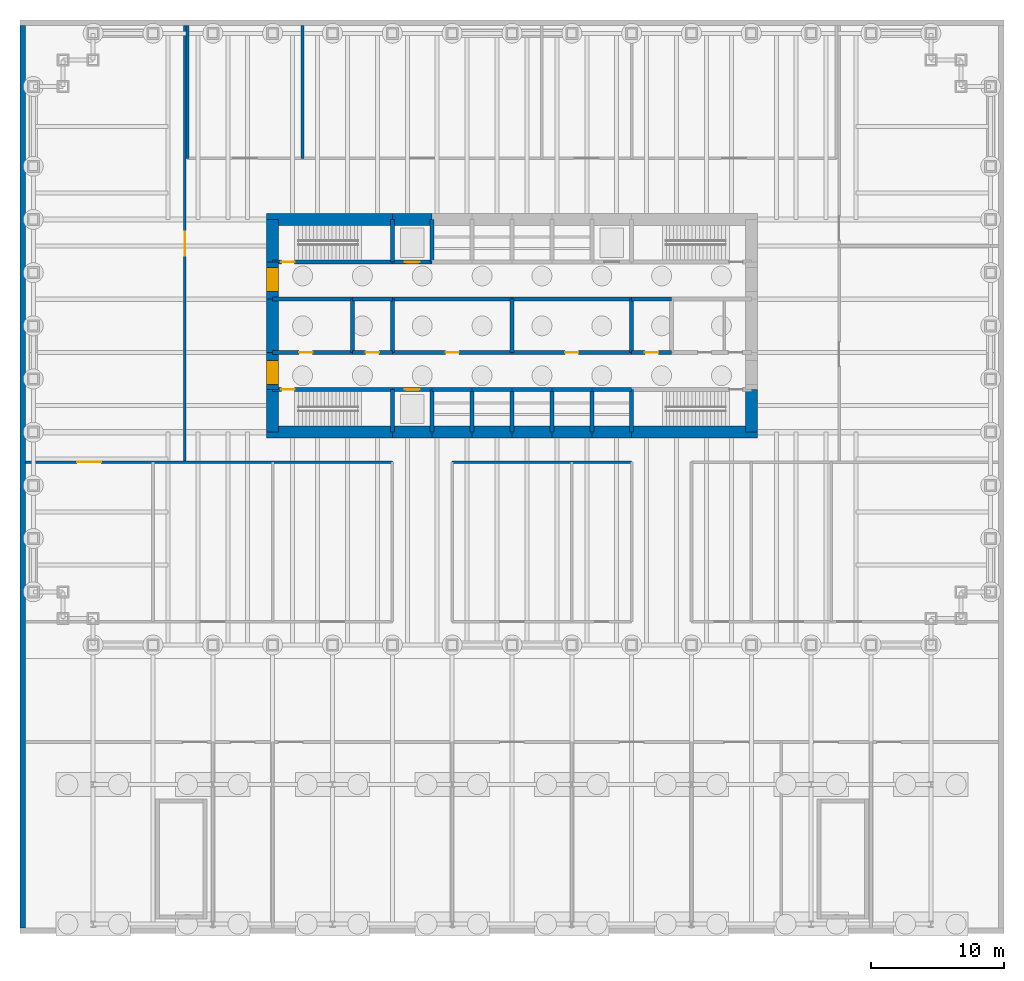
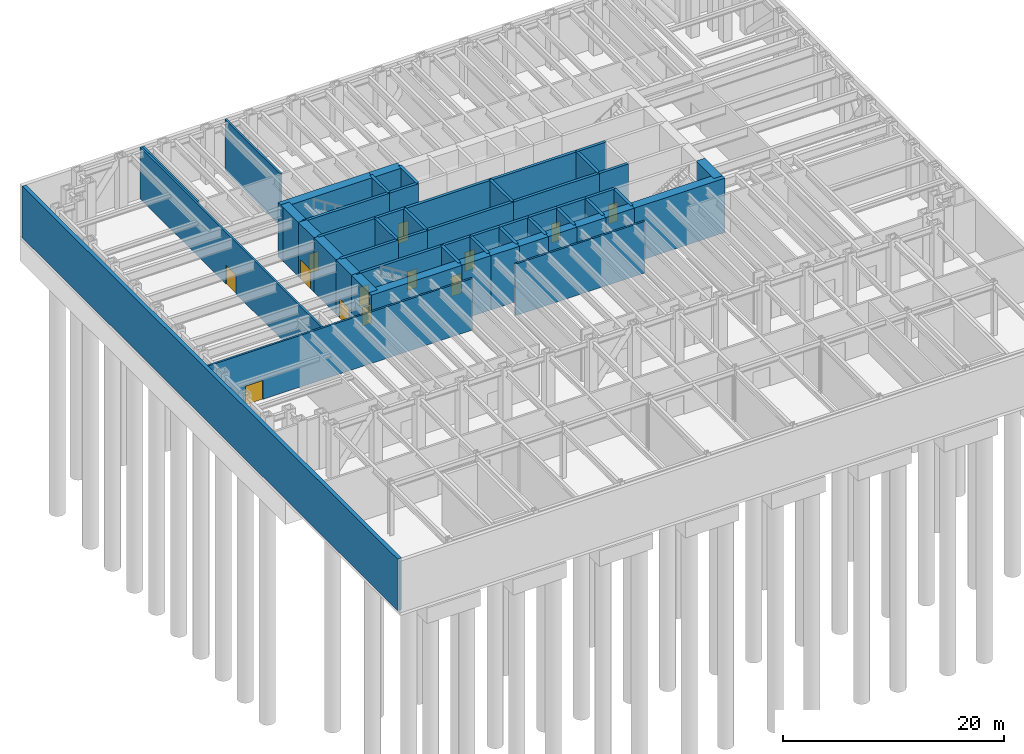
# One storey, part 5 of 9: 54 walls, 13 doors, 13 openings.
"""IFC4 building model written with IfcOpenShell, lengths in metres."""

from ifc_helpers import new_model, si_unit, direction, frame, frame_2d, origin, place, context, subcontext, project, spatial, rectangle, extrude, material, layer, layer_set, type_object, element, fill, save


model = new_model("IFC4")

# Units and contexts
model_context = context("Model", 3, precision=1e-05, world=origin(), true_north=direction((0.0, 1.0)))
body_context = subcontext(model_context, "Body", "Model", "MODEL_VIEW")
ifc_project = project(units=[si_unit("LENGTHUNIT", "METRE"), si_unit("AREAUNIT", "SQUARE_METRE"), si_unit("VOLUMEUNIT", "CUBIC_METRE"), si_unit("PLANEANGLEUNIT", "RADIAN"), si_unit("MASSUNIT", "GRAM", prefix="KILO")], contexts=[model_context])

# Site, building, storey
site_placement = place(None, origin())
site = spatial("IfcSite", under=ifc_project, at=site_placement, CompositionType="ELEMENT")
building_placement = place(site_placement, origin())
building = spatial("IfcBuilding", under=site, at=building_placement, Name="Rheinbord Bourse Tower", CompositionType="ELEMENT")
storey_placement = place(building_placement, frame((0.0, 0.0, -6.0)))
storey = spatial("IfcBuildingStorey", under=building, at=storey_placement, Name="B1", CompositionType="ELEMENT", Elevation=-6.0)

# Wall
ifc_material_1 = material(Name="Concrete C35/45", Category="concrete")
ifc_layer_1 = layer(ifc_material_1, 0.39990234375)
ifc_layer_set_1 = layer_set([ifc_layer_1], Name="BASEMENT RETAINING WALL 400")
wall_type_1 = type_object("IfcWallType", Name="BASEMENT RETAINING WALL 400", PredefinedType="SOLIDWALL", material=ifc_layer_set_1)
wall_1_placement = place(storey_placement, frame((-0.800048828125, 46.60009765625, 0.0), z_axis=(0.0, 0.0, 1.0), x_axis=(0.0, -1.0, 0.0)))
element("IfcWall", 1, at=wall_1_placement, inside=storey, type_object=wall_type_1, Name="Basement retaining wall W", PredefinedType="SOLIDWALL", context=body_context, shape_type="SweptSolid", body=[
    extrude(rectangle(XDim=67.900146484375, YDim=0.39990234375, at=frame_2d((33.9501953125, 0.0))), origin(), (0.0, 0.0, 1.0), 5.699951171875),
])

# Wall, opening, door
ifc_material_2 = material(Name="Concrete C50/60", Category="concrete")
ifc_layer_2 = layer(ifc_material_2, 0.300048828125)
ifc_layer_set_2 = layer_set([ifc_layer_2], Name="CORE INNER WALL 300")
wall_type_2 = type_object("IfcWallType", Name="CORE INNER WALL 300", PredefinedType="SOLIDWALL", material=ifc_layer_set_2)
wall_2_placement = place(storey_placement, frame((18.0, 19.199951171875, 0.0), z_axis=(0.0, 0.0, 1.0), x_axis=(1.0, 0.0, 0.0)))
wall_2 = element("IfcWall", 2, at=wall_2_placement, inside=storey, type_object=wall_type_2, Name="Core wall A1 B1", PredefinedType="SOLIDWALL", context=body_context, shape_type="SweptSolid", body=[
    extrude(rectangle(XDim=9.0, YDim=0.300048828125, at=frame_2d((4.5, 0.0))), origin(), (0.0, 0.0, 1.0), 6.0),
])
opening_1_placement = place(wall_2_placement, frame((0.64990234375, 0.0, 0.0)))
opening_1 = element("IfcOpeningElement", 3, at=opening_1_placement, cuts=wall_2, Name="Opening B110", PredefinedType="OPENING", context=body_context, shape_type="SweptSolid", body=[
    extrude(rectangle(XDim=1.0, YDim=2.10009765625, at=frame_2d((0.5, 1.050048828125))), frame((0.0, 0.159912109375, 0.0), z_axis=(0.0, -1.0, 0.0), x_axis=(1.0, 0.0, 0.0)), (0.0, 0.0, 1.0), 0.320068359375),
])
ifc_material_3 = material(Name="Steel door", Category="steel")
door_type_1 = type_object("IfcDoorType", Name="DOOR 1000 EI30", OperationType="SINGLE_SWING_LEFT", PredefinedType="DOOR", material=ifc_material_3)
door_1_placement = place(opening_1_placement, origin())
door_1 = element("IfcDoor", 4, at=door_1_placement, inside=storey, type_object=door_type_1, Name="Stair door ST1 B1", OperationType="SINGLE_SWING_LEFT", OverallHeight=2.10009765625, OverallWidth=1.0, PredefinedType="DOOR", context=body_context, shape_type="SweptSolid", body=[
    extrude(rectangle(XDim=1.0, YDim=2.10009765625, at=frame_2d((0.5, 1.050048828125))), frame((0.0, 0.02490234375, 0.0), z_axis=(0.0, -1.0, 0.0), x_axis=(1.0, 0.0, 0.0)), (0.0, 0.0, 1.0), 0.050048828125),
])
fill(opening_1, door_1)

wall_3_placement = place(storey_placement, frame((27.0, 19.199951171875, 0.0), z_axis=(0.0, 0.0, 1.0), x_axis=(1.0, 0.0, 0.0)))
wall_3 = element("IfcWall", 5, at=wall_3_placement, inside=storey, type_object=wall_type_2, Name="Core wall A2 B1", PredefinedType="SOLIDWALL", context=body_context, shape_type="SweptSolid", body=[
    extrude(rectangle(XDim=3.0, YDim=0.300048828125, at=frame_2d((1.5, 0.0))), origin(), (0.0, 0.0, 1.0), 6.0),
])
opening_2_placement = place(wall_3_placement, frame((0.949951171875, 0.0, 0.0)))
opening_2 = element("IfcOpeningElement", 6, at=opening_2_placement, cuts=wall_3, Name="Opening FL1", PredefinedType="OPENING", context=body_context, shape_type="SweptSolid", body=[
    extrude(rectangle(XDim=1.10009765625, YDim=2.199951171875, at=frame_2d((0.550048828125, 1.10009765625))), frame((0.0, 0.159912109375, 0.0), z_axis=(0.0, -1.0, 0.0), x_axis=(1.0, 0.0, 0.0)), (0.0, 0.0, 1.0), 0.320068359375),
])
ifc_material_4 = material(Name="Steel landing door", Category="steel")
door_type_2 = type_object("IfcDoorType", Name="LIFT LANDING DOOR 1100", OperationType="DOUBLE_DOOR_SLIDING", PredefinedType="USERDEFINED", material=ifc_material_4)
door_2_placement = place(opening_2_placement, origin())
door_2 = element("IfcDoor", 7, at=door_2_placement, inside=storey, type_object=door_type_2, Name="Lift landing door FL1 B1", ObjectType="LIFT LANDING DOOR", OperationType="DOUBLE_DOOR_SLIDING", OverallHeight=2.199951171875, OverallWidth=1.10009765625, PredefinedType="USERDEFINED", context=body_context, shape_type="SweptSolid", body=[
    extrude(rectangle(XDim=1.10009765625, YDim=2.199951171875, at=frame_2d((0.550048828125, 1.10009765625))), frame((0.0, 0.02490234375, 0.0), z_axis=(0.0, -1.0, 0.0), x_axis=(1.0, 0.0, 0.0)), (0.0, 0.0, 1.0), 0.050048828125),
])
fill(opening_2, door_2)

# Walls
for number, where, z_axis, x_axis, name in (
    (8, (30.0, 19.199951171875, 0.0), (0.0, 0.0, 1.0), (1.0, 0.0, 0.0), "Core wall A3 B1"),
    (9, (33.0, 19.199951171875, 0.0), (0.0, 0.0, 1.0), (1.0, 0.0, 0.0), "Core wall A4 B1"),
    (10, (36.0, 19.199951171875, 0.0), (0.0, 0.0, 1.0), (1.0, 0.0, 0.0), "Core wall A5 B1"),
    (11, (39.0, 19.199951171875, 0.0), (0.0, 0.0, 1.0), (1.0, 0.0, 0.0), "Core wall A6 B1"),
    (12, (42.0, 19.199951171875, 0.0), (0.0, 0.0, 1.0), (1.0, 0.0, 0.0), "Core wall A7 B1"),
):
    element("IfcWall", number, at=place(storey_placement, frame(where, z_axis=z_axis, x_axis=x_axis)), inside=storey, type_object=wall_type_2, Name=name, PredefinedType="SOLIDWALL", context=body_context, shape_type="SweptSolid", body=[
        extrude(rectangle(XDim=3.0, YDim=0.300048828125, at=frame_2d((1.5, 0.0))), origin(), (0.0, 0.0, 1.0), 6.0),
    ])

# Wall, opening, door
wall_4_placement = place(storey_placement, frame((18.0, 28.800048828125, 0.0), z_axis=(0.0, 0.0, 1.0), x_axis=(1.0, 0.0, 0.0)))
wall_4 = element("IfcWall", 13, at=wall_4_placement, inside=storey, type_object=wall_type_2, Name="Core wall B1 B1", PredefinedType="SOLIDWALL", context=body_context, shape_type="SweptSolid", body=[
    extrude(rectangle(XDim=9.0, YDim=0.300048828125, at=frame_2d((4.5, 0.0))), origin(), (0.0, 0.0, 1.0), 6.0),
])
opening_3_placement = place(wall_4_placement, frame((0.64990234375, 0.0, 0.0)))
opening_3 = element("IfcOpeningElement", 14, at=opening_3_placement, cuts=wall_4, Name="Opening B120", PredefinedType="OPENING", context=body_context, shape_type="SweptSolid", body=[
    extrude(rectangle(XDim=1.0, YDim=2.10009765625, at=frame_2d((0.5, 1.050048828125))), frame((0.0, 0.159912109375, 0.0), z_axis=(0.0, -1.0, 0.0), x_axis=(1.0, 0.0, 0.0)), (0.0, 0.0, 1.0), 0.320068359375),
])
door_3_placement = place(opening_3_placement, origin())
door_3 = element("IfcDoor", 15, at=door_3_placement, inside=storey, type_object=door_type_1, Name="Stair door ST2 B1", OperationType="SINGLE_SWING_LEFT", OverallHeight=2.10009765625, OverallWidth=1.0, PredefinedType="DOOR", context=body_context, shape_type="SweptSolid", body=[
    extrude(rectangle(XDim=1.0, YDim=2.10009765625, at=frame_2d((0.5, 1.050048828125))), frame((0.0, 0.02490234375, 0.0), z_axis=(0.0, -1.0, 0.0), x_axis=(1.0, 0.0, 0.0)), (0.0, 0.0, 1.0), 0.050048828125),
])
fill(opening_3, door_3)

wall_5_placement = place(storey_placement, frame((27.0, 28.800048828125, 0.0), z_axis=(0.0, 0.0, 1.0), x_axis=(1.0, 0.0, 0.0)))
wall_5 = element("IfcWall", 16, at=wall_5_placement, inside=storey, type_object=wall_type_2, Name="Core wall B2 B1", PredefinedType="SOLIDWALL", context=body_context, shape_type="SweptSolid", body=[
    extrude(rectangle(XDim=3.0, YDim=0.300048828125, at=frame_2d((1.5, 0.0))), origin(), (0.0, 0.0, 1.0), 6.0),
])
opening_4_placement = place(wall_5_placement, frame((0.949951171875, 0.0, 0.0)))
opening_4 = element("IfcOpeningElement", 17, at=opening_4_placement, cuts=wall_5, Name="Opening GL1", PredefinedType="OPENING", context=body_context, shape_type="SweptSolid", body=[
    extrude(rectangle(XDim=1.10009765625, YDim=2.199951171875, at=frame_2d((0.550048828125, 1.10009765625))), frame((0.0, 0.159912109375, 0.0), z_axis=(0.0, -1.0, 0.0), x_axis=(1.0, 0.0, 0.0)), (0.0, 0.0, 1.0), 0.320068359375),
])
door_4_placement = place(opening_4_placement, origin())
door_4 = element("IfcDoor", 18, at=door_4_placement, inside=storey, type_object=door_type_2, Name="Lift landing door GL1 B1", ObjectType="LIFT LANDING DOOR", OperationType="DOUBLE_DOOR_SLIDING", OverallHeight=2.199951171875, OverallWidth=1.10009765625, PredefinedType="USERDEFINED", context=body_context, shape_type="SweptSolid", body=[
    extrude(rectangle(XDim=1.10009765625, YDim=2.199951171875, at=frame_2d((0.550048828125, 1.10009765625))), frame((0.0, 0.02490234375, 0.0), z_axis=(0.0, -1.0, 0.0), x_axis=(1.0, 0.0, 0.0)), (0.0, 0.0, 1.0), 0.050048828125),
])
fill(opening_4, door_4)

wall_6_placement = place(storey_placement, frame((18.0, 22.0, 0.0), z_axis=(0.0, 0.0, 1.0), x_axis=(1.0, 0.0, 0.0)))
wall_6 = element("IfcWall", 19, at=wall_6_placement, inside=storey, type_object=wall_type_2, Name="Core wall C1 B1", PredefinedType="SOLIDWALL", context=body_context, shape_type="SweptSolid", body=[
    extrude(rectangle(XDim=6.0, YDim=0.300048828125, at=frame_2d((3.0, 0.0))), origin(), (0.0, 0.0, 1.0), 6.0),
])
opening_5_placement = place(wall_6_placement, frame((2.0, 0.0, 0.0)))
opening_5 = element("IfcOpeningElement", 20, at=opening_5_placement, cuts=wall_6, Name="Opening B1R1", PredefinedType="OPENING", context=body_context, shape_type="SweptSolid", body=[
    extrude(rectangle(XDim=1.0, YDim=2.10009765625, at=frame_2d((0.5, 1.050048828125))), frame((0.0, 0.159912109375, 0.0), z_axis=(0.0, -1.0, 0.0), x_axis=(1.0, 0.0, 0.0)), (0.0, 0.0, 1.0), 0.320068359375),
])
ifc_material_5 = material(Name="Timber door", Category="wood")
door_type_3 = type_object("IfcDoorType", Name="DOOR 1000 WC", OperationType="SINGLE_SWING_LEFT", PredefinedType="DOOR", material=ifc_material_5)
door_5_placement = place(opening_5_placement, origin())
door_5 = element("IfcDoor", 21, at=door_5_placement, inside=storey, type_object=door_type_3, Name="WC men door B1", OperationType="SINGLE_SWING_LEFT", OverallHeight=2.10009765625, OverallWidth=1.0, PredefinedType="DOOR", context=body_context, shape_type="SweptSolid", body=[
    extrude(rectangle(XDim=1.0, YDim=2.10009765625, at=frame_2d((0.5, 1.050048828125))), frame((0.0, 0.02490234375, 0.0), z_axis=(0.0, -1.0, 0.0), x_axis=(1.0, 0.0, 0.0)), (0.0, 0.0, 1.0), 0.050048828125),
])
fill(opening_5, door_5)

wall_7_placement = place(storey_placement, frame((24.0, 22.0, 0.0), z_axis=(0.0, 0.0, 1.0), x_axis=(1.0, 0.0, 0.0)))
wall_7 = element("IfcWall", 22, at=wall_7_placement, inside=storey, type_object=wall_type_2, Name="Core wall C2 B1", PredefinedType="SOLIDWALL", context=body_context, shape_type="SweptSolid", body=[
    extrude(rectangle(XDim=3.0, YDim=0.300048828125, at=frame_2d((1.5, 0.0))), origin(), (0.0, 0.0, 1.0), 6.0),
])
opening_6_placement = place(wall_7_placement, frame((1.0, 0.0, 0.0)))
opening_6 = element("IfcOpeningElement", 23, at=opening_6_placement, cuts=wall_7, Name="Opening B1R2", PredefinedType="OPENING", context=body_context, shape_type="SweptSolid", body=[
    extrude(rectangle(XDim=1.0, YDim=2.10009765625, at=frame_2d((0.5, 1.050048828125))), frame((0.0, 0.159912109375, 0.0), z_axis=(0.0, -1.0, 0.0), x_axis=(1.0, 0.0, 0.0)), (0.0, 0.0, 1.0), 0.320068359375),
])
door_6_placement = place(opening_6_placement, origin())
door_6 = element("IfcDoor", 24, at=door_6_placement, inside=storey, type_object=door_type_3, Name="Accessible WC door B1", OperationType="SINGLE_SWING_LEFT", OverallHeight=2.10009765625, OverallWidth=1.0, PredefinedType="DOOR", context=body_context, shape_type="SweptSolid", body=[
    extrude(rectangle(XDim=1.0, YDim=2.10009765625, at=frame_2d((0.5, 1.050048828125))), frame((0.0, 0.02490234375, 0.0), z_axis=(0.0, -1.0, 0.0), x_axis=(1.0, 0.0, 0.0)), (0.0, 0.0, 1.0), 0.050048828125),
])
fill(opening_6, door_6)

wall_8_placement = place(storey_placement, frame((27.0, 22.0, 0.0), z_axis=(0.0, 0.0, 1.0), x_axis=(1.0, 0.0, 0.0)))
wall_8 = element("IfcWall", 25, at=wall_8_placement, inside=storey, type_object=wall_type_2, Name="Core wall C3 B1", PredefinedType="SOLIDWALL", context=body_context, shape_type="SweptSolid", body=[
    extrude(rectangle(XDim=9.0, YDim=0.300048828125, at=frame_2d((4.5, 0.0))), origin(), (0.0, 0.0, 1.0), 6.0),
])
opening_7_placement = place(wall_8_placement, frame((4.0, 0.0, 0.0)))
opening_7 = element("IfcOpeningElement", 26, at=opening_7_placement, cuts=wall_8, Name="Opening B1R3", PredefinedType="OPENING", context=body_context, shape_type="SweptSolid", body=[
    extrude(rectangle(XDim=1.0, YDim=2.10009765625, at=frame_2d((0.5, 1.050048828125))), frame((0.0, 0.159912109375, 0.0), z_axis=(0.0, -1.0, 0.0), x_axis=(1.0, 0.0, 0.0)), (0.0, 0.0, 1.0), 0.320068359375),
])
door_7_placement = place(opening_7_placement, origin())
door_7 = element("IfcDoor", 27, at=door_7_placement, inside=storey, type_object=door_type_1, Name="Riser door B1", OperationType="SINGLE_SWING_LEFT", OverallHeight=2.10009765625, OverallWidth=1.0, PredefinedType="DOOR", context=body_context, shape_type="SweptSolid", body=[
    extrude(rectangle(XDim=1.0, YDim=2.10009765625, at=frame_2d((0.5, 1.050048828125))), frame((0.0, 0.02490234375, 0.0), z_axis=(0.0, -1.0, 0.0), x_axis=(1.0, 0.0, 0.0)), (0.0, 0.0, 1.0), 0.050048828125),
])
fill(opening_7, door_7)

wall_9_placement = place(storey_placement, frame((36.0, 22.0, 0.0), z_axis=(0.0, 0.0, 1.0), x_axis=(1.0, 0.0, 0.0)))
wall_9 = element("IfcWall", 28, at=wall_9_placement, inside=storey, type_object=wall_type_2, Name="Core wall C4 B1", PredefinedType="SOLIDWALL", context=body_context, shape_type="SweptSolid", body=[
    extrude(rectangle(XDim=9.0, YDim=0.300048828125, at=frame_2d((4.5, 0.0))), origin(), (0.0, 0.0, 1.0), 6.0),
])
opening_8_placement = place(wall_9_placement, frame((4.0, 0.0, 0.0)))
opening_8 = element("IfcOpeningElement", 29, at=opening_8_placement, cuts=wall_9, Name="Opening B1R4", PredefinedType="OPENING", context=body_context, shape_type="SweptSolid", body=[
    extrude(rectangle(XDim=1.0, YDim=2.10009765625, at=frame_2d((0.5, 1.050048828125))), frame((0.0, 0.159912109375, 0.0), z_axis=(0.0, -1.0, 0.0), x_axis=(1.0, 0.0, 0.0)), (0.0, 0.0, 1.0), 0.320068359375),
])
door_8_placement = place(opening_8_placement, origin())
door_8 = element("IfcDoor", 30, at=door_8_placement, inside=storey, type_object=door_type_1, Name="Store door B1", OperationType="SINGLE_SWING_LEFT", OverallHeight=2.10009765625, OverallWidth=1.0, PredefinedType="DOOR", context=body_context, shape_type="SweptSolid", body=[
    extrude(rectangle(XDim=1.0, YDim=2.10009765625, at=frame_2d((0.5, 1.050048828125))), frame((0.0, 0.02490234375, 0.0), z_axis=(0.0, -1.0, 0.0), x_axis=(1.0, 0.0, 0.0)), (0.0, 0.0, 1.0), 0.050048828125),
])
fill(opening_8, door_8)

wall_10_placement = place(storey_placement, frame((45.0, 22.0, 0.0), z_axis=(0.0, 0.0, 1.0), x_axis=(1.0, 0.0, 0.0)))
wall_10 = element("IfcWall", 31, at=wall_10_placement, inside=storey, type_object=wall_type_2, Name="Core wall C5 B1", PredefinedType="SOLIDWALL", context=body_context, shape_type="SweptSolid", body=[
    extrude(rectangle(XDim=3.0, YDim=0.300048828125, at=frame_2d((1.5, 0.0))), origin(), (0.0, 0.0, 1.0), 6.0),
])
opening_9_placement = place(wall_10_placement, frame((1.0, 0.0, 0.0)))
opening_9 = element("IfcOpeningElement", 32, at=opening_9_placement, cuts=wall_10, Name="Opening B1R5", PredefinedType="OPENING", context=body_context, shape_type="SweptSolid", body=[
    extrude(rectangle(XDim=1.0, YDim=2.10009765625, at=frame_2d((0.5, 1.050048828125))), frame((0.0, 0.159912109375, 0.0), z_axis=(0.0, -1.0, 0.0), x_axis=(1.0, 0.0, 0.0)), (0.0, 0.0, 1.0), 0.320068359375),
])
door_9_placement = place(opening_9_placement, origin())
door_9 = element("IfcDoor", 33, at=door_9_placement, inside=storey, type_object=door_type_3, Name="Accessible WC door B1", OperationType="SINGLE_SWING_LEFT", OverallHeight=2.10009765625, OverallWidth=1.0, PredefinedType="DOOR", context=body_context, shape_type="SweptSolid", body=[
    extrude(rectangle(XDim=1.0, YDim=2.10009765625, at=frame_2d((0.5, 1.050048828125))), frame((0.0, 0.02490234375, 0.0), z_axis=(0.0, -1.0, 0.0), x_axis=(1.0, 0.0, 0.0)), (0.0, 0.0, 1.0), 0.050048828125),
])
fill(opening_9, door_9)

# Walls
wall_11_placement = place(storey_placement, frame((18.0, 26.0, 0.0), z_axis=(0.0, 0.0, 1.0), x_axis=(1.0, 0.0, 0.0)))
element("IfcWall", 34, at=wall_11_placement, inside=storey, type_object=wall_type_2, Name="Core wall D1 B1", PredefinedType="SOLIDWALL", context=body_context, shape_type="SweptSolid", body=[
    extrude(rectangle(XDim=6.0, YDim=0.300048828125, at=frame_2d((3.0, 0.0))), origin(), (0.0, 0.0, 1.0), 6.0),
])
wall_12_placement = place(storey_placement, frame((24.0, 26.0, 0.0), z_axis=(0.0, 0.0, 1.0), x_axis=(1.0, 0.0, 0.0)))
element("IfcWall", 35, at=wall_12_placement, inside=storey, type_object=wall_type_2, Name="Core wall D2 B1", PredefinedType="SOLIDWALL", context=body_context, shape_type="SweptSolid", body=[
    extrude(rectangle(XDim=3.0, YDim=0.300048828125, at=frame_2d((1.5, 0.0))), origin(), (0.0, 0.0, 1.0), 6.0),
])
for number, where, z_axis, x_axis, name in (
    (36, (27.0, 26.0, 0.0), (0.0, 0.0, 1.0), (1.0, 0.0, 0.0), "Core wall D3 B1"),
    (37, (36.0, 26.0, 0.0), (0.0, 0.0, 1.0), (1.0, 0.0, 0.0), "Core wall D4 B1"),
):
    element("IfcWall", number, at=place(storey_placement, frame(where, z_axis=z_axis, x_axis=x_axis)), inside=storey, type_object=wall_type_2, Name=name, PredefinedType="SOLIDWALL", context=body_context, shape_type="SweptSolid", body=[
        extrude(rectangle(XDim=9.0, YDim=0.300048828125, at=frame_2d((4.5, 0.0))), origin(), (0.0, 0.0, 1.0), 6.0),
    ])
wall_13_placement = place(storey_placement, frame((45.0, 26.0, 0.0), z_axis=(0.0, 0.0, 1.0), x_axis=(1.0, 0.0, 0.0)))
element("IfcWall", 38, at=wall_13_placement, inside=storey, type_object=wall_type_2, Name="Core wall D5 B1", PredefinedType="SOLIDWALL", context=body_context, shape_type="SweptSolid", body=[
    extrude(rectangle(XDim=3.0, YDim=0.300048828125, at=frame_2d((1.5, 0.0))), origin(), (0.0, 0.0, 1.0), 6.0),
])
for number, where, z_axis, x_axis, name in (
    (39, (27.0, 16.0, 0.0), (0.0, 0.0, 1.0), (0.0, 1.0, 0.0), "Core wall SX27 B1"),
    (40, (27.0, 28.800048828125, 0.0), (0.0, 0.0, 1.0), (0.0, 1.0, 0.0), "Core wall NX27 B1"),
    (41, (30.0, 16.0, 0.0), (0.0, 0.0, 1.0), (0.0, 1.0, 0.0), "Core wall SX30 B1"),
    (42, (30.0, 28.800048828125, 0.0), (0.0, 0.0, 1.0), (0.0, 1.0, 0.0), "Core wall NX30 B1"),
    (43, (33.0, 16.0, 0.0), (0.0, 0.0, 1.0), (0.0, 1.0, 0.0), "Core wall SX33 B1"),
    (44, (36.0, 16.0, 0.0), (0.0, 0.0, 1.0), (0.0, 1.0, 0.0), "Core wall SX36 B1"),
    (45, (39.0, 16.0, 0.0), (0.0, 0.0, 1.0), (0.0, 1.0, 0.0), "Core wall SX39 B1"),
    (46, (42.0, 16.0, 0.0), (0.0, 0.0, 1.0), (0.0, 1.0, 0.0), "Core wall SX42 B1"),
    (47, (45.0, 16.0, 0.0), (0.0, 0.0, 1.0), (0.0, 1.0, 0.0), "Core wall SX45 B1"),
):
    element("IfcWall", number, at=place(storey_placement, frame(where, z_axis=z_axis, x_axis=x_axis)), inside=storey, type_object=wall_type_2, Name=name, PredefinedType="SOLIDWALL", context=body_context, shape_type="SweptSolid", body=[
        extrude(rectangle(XDim=3.199951171875, YDim=0.300048828125, at=frame_2d((1.60009765625, 0.0))), origin(), (0.0, 0.0, 1.0), 6.0),
    ])
for number, where, z_axis, x_axis, name in (
    (48, (24.0, 22.0, 0.0), (0.0, 0.0, 1.0), (0.0, 1.0, 0.0), "Core wall MX24 B1"),
    (49, (27.0, 22.0, 0.0), (0.0, 0.0, 1.0), (0.0, 1.0, 0.0), "Core wall MX27 B1"),
    (50, (36.0, 22.0, 0.0), (0.0, 0.0, 1.0), (0.0, 1.0, 0.0), "Core wall MX36 B1"),
    (51, (45.0, 22.0, 0.0), (0.0, 0.0, 1.0), (0.0, 1.0, 0.0), "Core wall MX45 B1"),
):
    element("IfcWall", number, at=place(storey_placement, frame(where, z_axis=z_axis, x_axis=x_axis)), inside=storey, type_object=wall_type_2, Name=name, PredefinedType="SOLIDWALL", context=body_context, shape_type="SweptSolid", body=[
        extrude(rectangle(XDim=4.0, YDim=0.300048828125, at=frame_2d((2.0, 0.0))), origin(), (0.0, 0.0, 1.0), 6.0),
    ])
ifc_material_6 = material(Name="Concrete C50/60", Category="concrete")
ifc_layer_3 = layer(ifc_material_6, 0.89990234375)
ifc_layer_set_3 = layer_set([ifc_layer_3], Name="CORE WALL 900")
wall_type_3 = type_object("IfcWallType", Name="CORE WALL 900", PredefinedType="SHEAR", material=ifc_layer_set_3)
wall_14_placement = place(storey_placement, frame((17.550048828125, 16.0, 0.0), z_axis=(0.0, 0.0, 1.0), x_axis=(1.0, 0.0, 0.0)))
element("IfcWall", 52, at=wall_14_placement, inside=storey, type_object=wall_type_3, Name="Core wall S1 B1", PredefinedType="SHEAR", context=body_context, shape_type="SweptSolid", body=[
    extrude(rectangle(XDim=9.449951171875, YDim=0.89990234375, at=frame_2d((4.72509765625, 0.0))), origin(), (0.0, 0.0, 1.0), 6.0),
])
for number, where, z_axis, x_axis, name in (
    (53, (27.0, 16.0, 0.0), (0.0, 0.0, 1.0), (1.0, 0.0, 0.0), "Core wall S2 B1"),
    (54, (30.0, 16.0, 0.0), (0.0, 0.0, 1.0), (1.0, 0.0, 0.0), "Core wall S3 B1"),
    (55, (33.0, 16.0, 0.0), (0.0, 0.0, 1.0), (1.0, 0.0, 0.0), "Core wall S4 B1"),
    (56, (36.0, 16.0, 0.0), (0.0, 0.0, 1.0), (1.0, 0.0, 0.0), "Core wall S5 B1"),
    (57, (39.0, 16.0, 0.0), (0.0, 0.0, 1.0), (1.0, 0.0, 0.0), "Core wall S6 B1"),
    (58, (42.0, 16.0, 0.0), (0.0, 0.0, 1.0), (1.0, 0.0, 0.0), "Core wall S7 B1"),
):
    element("IfcWall", number, at=place(storey_placement, frame(where, z_axis=z_axis, x_axis=x_axis)), inside=storey, type_object=wall_type_3, Name=name, PredefinedType="SHEAR", context=body_context, shape_type="SweptSolid", body=[
        extrude(rectangle(XDim=3.0, YDim=0.89990234375, at=frame_2d((1.5, 0.0))), origin(), (0.0, 0.0, 1.0), 6.0),
    ])
wall_15_placement = place(storey_placement, frame((45.0, 16.0, 0.0), z_axis=(0.0, 0.0, 1.0), x_axis=(1.0, 0.0, 0.0)))
element("IfcWall", 59, at=wall_15_placement, inside=storey, type_object=wall_type_3, Name="Core wall S8 B1", PredefinedType="SHEAR", context=body_context, shape_type="SweptSolid", body=[
    extrude(rectangle(XDim=9.449951171875, YDim=0.89990234375, at=frame_2d((4.72509765625, 0.0))), origin(), (0.0, 0.0, 1.0), 6.0),
])
wall_16_placement = place(storey_placement, frame((30.0, 32.0, 0.0), z_axis=(0.0, 0.0, 1.0), x_axis=(-1.0, 0.0, 0.0)))
element("IfcWall", 60, at=wall_16_placement, inside=storey, type_object=wall_type_3, Name="Core wall N7 B1", PredefinedType="SHEAR", context=body_context, shape_type="SweptSolid", body=[
    extrude(rectangle(XDim=3.0, YDim=0.89990234375, at=frame_2d((1.5, 0.0))), origin(), (0.0, 0.0, 1.0), 6.0),
])
wall_17_placement = place(storey_placement, frame((27.0, 32.0, 0.0), z_axis=(0.0, 0.0, 1.0), x_axis=(-1.0, 0.0, 0.0)))
element("IfcWall", 61, at=wall_17_placement, inside=storey, type_object=wall_type_3, Name="Core wall N8 B1", PredefinedType="SHEAR", context=body_context, shape_type="SweptSolid", body=[
    extrude(rectangle(XDim=9.449951171875, YDim=0.89990234375, at=frame_2d((4.72509765625, 0.0))), origin(), (0.0, 0.0, 1.0), 6.0),
])
wall_18_placement = place(storey_placement, frame((18.0, 32.0, 0.0), z_axis=(0.0, 0.0, 1.0), x_axis=(0.0, -1.0, 0.0)))
element("IfcWall", 62, at=wall_18_placement, inside=storey, type_object=wall_type_3, Name="Core wall W1 B1", PredefinedType="SHEAR", context=body_context, shape_type="SweptSolid", body=[
    extrude(rectangle(XDim=3.199951171875, YDim=0.89990234375, at=frame_2d((1.60009765625, 0.0))), origin(), (0.0, 0.0, 1.0), 6.0),
])

# Wall, opening, door
wall_19_placement = place(storey_placement, frame((18.0, 28.800048828125, 0.0), z_axis=(0.0, 0.0, 1.0), x_axis=(0.0, -1.0, 0.0)))
wall_19 = element("IfcWall", 63, at=wall_19_placement, inside=storey, type_object=wall_type_3, Name="Core wall W2 B1", PredefinedType="SHEAR", context=body_context, shape_type="SweptSolid", body=[
    extrude(rectangle(XDim=2.800048828125, YDim=0.89990234375, at=frame_2d((1.39990234375, 0.0))), origin(), (0.0, 0.0, 1.0), 6.0),
])
opening_10_placement = place(wall_19_placement, frame((0.39990234375, 0.0, 0.0)))
opening_10 = element("IfcOpeningElement", 64, at=opening_10_placement, cuts=wall_19, Name="Opening B1L2", PredefinedType="OPENING", context=body_context, shape_type="SweptSolid", body=[
    extrude(rectangle(XDim=1.800048828125, YDim=2.10009765625, at=frame_2d((0.89990234375, 1.050048828125))), frame((0.0, 0.4599609375, 0.0), z_axis=(0.0, -1.0, 0.0), x_axis=(1.0, 0.0, 0.0)), (0.0, 0.0, 1.0), 0.919921875),
])
ifc_material_7 = material(Name="Steel door", Category="steel")
door_type_4 = type_object("IfcDoorType", Name="DOOR 1800 EI30 DOUBLE", OperationType="DOUBLE_DOOR_DOUBLE_SWING", PredefinedType="DOOR", material=ifc_material_7)
door_10_placement = place(opening_10_placement, origin())
door_10 = element("IfcDoor", 65, at=door_10_placement, inside=storey, type_object=door_type_4, Name="Lobby door 2 B1", OperationType="SINGLE_SWING_LEFT", OverallHeight=2.10009765625, OverallWidth=1.800048828125, PredefinedType="DOOR", context=body_context, shape_type="SweptSolid", body=[
    extrude(rectangle(XDim=1.800048828125, YDim=2.10009765625, at=frame_2d((0.89990234375, 1.050048828125))), frame((0.0, 0.44970703125, 0.0), z_axis=(0.0, -1.0, 0.0), x_axis=(1.0, 0.0, 0.0)), (0.0, 0.0, 1.0), 0.8994140625),
])
fill(opening_10, door_10)

# Wall
wall_20_placement = place(storey_placement, frame((18.0, 26.0, 0.0), z_axis=(0.0, 0.0, 1.0), x_axis=(0.0, -1.0, 0.0)))
element("IfcWall", 66, at=wall_20_placement, inside=storey, type_object=wall_type_3, Name="Core wall W3 B1", PredefinedType="SHEAR", context=body_context, shape_type="SweptSolid", body=[
    extrude(rectangle(XDim=4.0, YDim=0.89990234375, at=frame_2d((2.0, 0.0))), origin(), (0.0, 0.0, 1.0), 6.0),
])

# Wall, opening, door
wall_21_placement = place(storey_placement, frame((18.0, 22.0, 0.0), z_axis=(0.0, 0.0, 1.0), x_axis=(0.0, -1.0, 0.0)))
wall_21 = element("IfcWall", 67, at=wall_21_placement, inside=storey, type_object=wall_type_3, Name="Core wall W4 B1", PredefinedType="SHEAR", context=body_context, shape_type="SweptSolid", body=[
    extrude(rectangle(XDim=2.800048828125, YDim=0.89990234375, at=frame_2d((1.39990234375, 0.0))), origin(), (0.0, 0.0, 1.0), 6.0),
])
opening_11_placement = place(wall_21_placement, frame((0.60009765625, 0.0, 0.0)))
opening_11 = element("IfcOpeningElement", 68, at=opening_11_placement, cuts=wall_21, Name="Opening B1L1", PredefinedType="OPENING", context=body_context, shape_type="SweptSolid", body=[
    extrude(rectangle(XDim=1.800048828125, YDim=2.10009765625, at=frame_2d((0.89990234375, 1.050048828125))), frame((0.0, 0.4599609375, 0.0), z_axis=(0.0, -1.0, 0.0), x_axis=(1.0, 0.0, 0.0)), (0.0, 0.0, 1.0), 0.919921875),
])
door_11_placement = place(opening_11_placement, origin())
door_11 = element("IfcDoor", 69, at=door_11_placement, inside=storey, type_object=door_type_4, Name="Lobby door 1 B1", OperationType="SINGLE_SWING_LEFT", OverallHeight=2.10009765625, OverallWidth=1.800048828125, PredefinedType="DOOR", context=body_context, shape_type="SweptSolid", body=[
    extrude(rectangle(XDim=1.800048828125, YDim=2.10009765625, at=frame_2d((0.89990234375, 1.050048828125))), frame((0.0, 0.44970703125, 0.0), z_axis=(0.0, -1.0, 0.0), x_axis=(1.0, 0.0, 0.0)), (0.0, 0.0, 1.0), 0.8994140625),
])
fill(opening_11, door_11)

# Walls
for number, where, z_axis, x_axis, name in (
    (70, (18.0, 19.199951171875, 0.0), (0.0, 0.0, 1.0), (0.0, -1.0, 0.0), "Core wall W5 B1"),
    (71, (54.0, 16.0, 0.0), (0.0, 0.0, 1.0), (0.0, 1.0, 0.0), "Core wall E1 B1"),
):
    element("IfcWall", number, at=place(storey_placement, frame(where, z_axis=z_axis, x_axis=x_axis)), inside=storey, type_object=wall_type_3, Name=name, PredefinedType="SHEAR", context=body_context, shape_type="SweptSolid", body=[
        extrude(rectangle(XDim=3.199951171875, YDim=0.89990234375, at=frame_2d((1.60009765625, 0.0))), origin(), (0.0, 0.0, 1.0), 6.0),
    ])

# Wall, opening, door
ifc_material_8 = material(Name="Concrete block plant room wall", Category="concrete")
ifc_layer_4 = layer(ifc_material_8, 0.199951171875)
ifc_layer_set_4 = layer_set([ifc_layer_4], Name="PLANT ROOM PARTITION 200 EI90")
wall_type_4 = type_object("IfcWallType", Name="PLANT ROOM PARTITION 200 EI90", PredefinedType="PARTITIONING", material=ifc_layer_set_4)
wall_22_placement = place(storey_placement, frame((-0.590087890625, 13.75, 0.0), z_axis=(0.0, 0.0, 1.0), x_axis=(1.0, 0.0, 0.0)))
wall_22 = element("IfcWall", 72, at=wall_22_placement, inside=storey, type_object=wall_type_4, Name="Partition B1-05", PredefinedType="PARTITIONING", context=body_context, shape_type="SweptSolid", body=[
    extrude(rectangle(XDim=27.590087890625, YDim=0.199951171875, at=frame_2d((13.794921875, 0.0))), origin(), (0.0, 0.0, 1.0), 5.699951171875),
])
opening_12_placement = place(wall_22_placement, frame((3.889892578125, 0.0, 0.0)))
opening_12 = element("IfcOpeningElement", 73, at=opening_12_placement, cuts=wall_22, Name="Opening B1P09", PredefinedType="OPENING", context=body_context, shape_type="SweptSolid", body=[
    extrude(rectangle(XDim=1.800048828125, YDim=2.10009765625, at=frame_2d((0.89990234375, 1.050048828125))), frame((0.0, 0.10986328125, 0.0), z_axis=(0.0, -1.0, 0.0), x_axis=(1.0, 0.0, 0.0)), (0.0, 0.0, 1.0), 0.219970703125),
])
ifc_material_9 = material(Name="Steel fire door", Category="steel")
door_type_5 = type_object("IfcDoorType", Name="PLANT ROOM DOUBLE DOOR 1800 EI60", OperationType="DOUBLE_DOOR_DOUBLE_SWING", PredefinedType="DOOR", material=ifc_material_9)
door_12_placement = place(opening_12_placement, origin())
door_12 = element("IfcDoor", 74, at=door_12_placement, inside=storey, type_object=door_type_5, Name="Sprinkler water tank room 1 door B1", OperationType="SINGLE_SWING_LEFT", OverallHeight=2.10009765625, OverallWidth=1.800048828125, PredefinedType="DOOR", context=body_context, shape_type="SweptSolid", body=[
    extrude(rectangle(XDim=1.800048828125, YDim=2.10009765625, at=frame_2d((0.89990234375, 1.050048828125))), frame((0.0, 0.02490234375, 0.0), z_axis=(0.0, -1.0, 0.0), x_axis=(1.0, 0.0, 0.0)), (0.0, 0.0, 1.0), 0.050048828125),
])
fill(opening_12, door_12)

# Wall
wall_23_placement = place(storey_placement, frame((31.5, 13.75, 0.0), z_axis=(0.0, 0.0, 1.0), x_axis=(1.0, 0.0, 0.0)))
element("IfcWall", 75, at=wall_23_placement, inside=storey, type_object=wall_type_4, Name="Partition B1-06", PredefinedType="PARTITIONING", context=body_context, shape_type="SweptSolid", body=[
    extrude(rectangle(XDim=13.5, YDim=0.199951171875, at=frame_2d((6.75, 0.0))), origin(), (0.0, 0.0, 1.0), 5.699951171875),
])

# Wall, opening, door
wall_24_placement = place(storey_placement, frame((11.39990234375, 13.75, 0.0), z_axis=(0.0, 0.0, 1.0), x_axis=(0.0, 1.0, 0.0)))
wall_24 = element("IfcWall", 76, at=wall_24_placement, inside=storey, type_object=wall_type_4, Name="Partition B1-11", PredefinedType="PARTITIONING", context=body_context, shape_type="SweptSolid", body=[
    extrude(rectangle(XDim=32.840087890625, YDim=0.199951171875, at=frame_2d((16.419921875, 0.0))), origin(), (0.0, 0.0, 1.0), 5.699951171875),
])
opening_13_placement = place(wall_24_placement, frame((15.52490234375, 0.0, 0.0)))
opening_13 = element("IfcOpeningElement", 77, at=opening_13_placement, cuts=wall_24, Name="Opening B1P18", PredefinedType="OPENING", context=body_context, shape_type="SweptSolid", body=[
    extrude(rectangle(XDim=1.800048828125, YDim=2.10009765625, at=frame_2d((0.89990234375, 1.050048828125))), frame((0.0, 0.10986328125, 0.0), z_axis=(0.0, -1.0, 0.0), x_axis=(1.0, 0.0, 0.0)), (0.0, 0.0, 1.0), 0.219970703125),
])
door_13_placement = place(opening_13_placement, origin())
door_13 = element("IfcDoor", 78, at=door_13_placement, inside=storey, type_object=door_type_5, Name="Chiller plant room door B1", OperationType="SINGLE_SWING_LEFT", OverallHeight=2.10009765625, OverallWidth=1.800048828125, PredefinedType="DOOR", context=body_context, shape_type="SweptSolid", body=[
    extrude(rectangle(XDim=1.800048828125, YDim=2.10009765625, at=frame_2d((0.89990234375, 1.050048828125))), frame((0.0, 0.02490234375, 0.0), z_axis=(0.0, -1.0, 0.0), x_axis=(1.0, 0.0, 0.0)), (0.0, 0.0, 1.0), 0.050048828125),
])
fill(opening_13, door_13)

# Walls
for number, where, z_axis, x_axis, name in (
    (79, (11.60009765625, 36.60009765625, 0.0), (0.0, 0.0, 1.0), (0.0, 1.0, 0.0), "Partition B1-12"),
    (80, (20.25, 36.60009765625, 0.0), (0.0, 0.0, 1.0), (0.0, 1.0, 0.0), "Partition B1-16"),
):
    element("IfcWall", number, at=place(storey_placement, frame(where, z_axis=z_axis, x_axis=x_axis)), inside=storey, type_object=wall_type_4, Name=name, PredefinedType="PARTITIONING", context=body_context, shape_type="SweptSolid", body=[
        extrude(rectangle(XDim=9.989990234375, YDim=0.199951171875, at=frame_2d((4.9951171875, 0.0))), origin(), (0.0, 0.0, 1.0), 5.699951171875),
    ])

save(model, "model.ifc")
